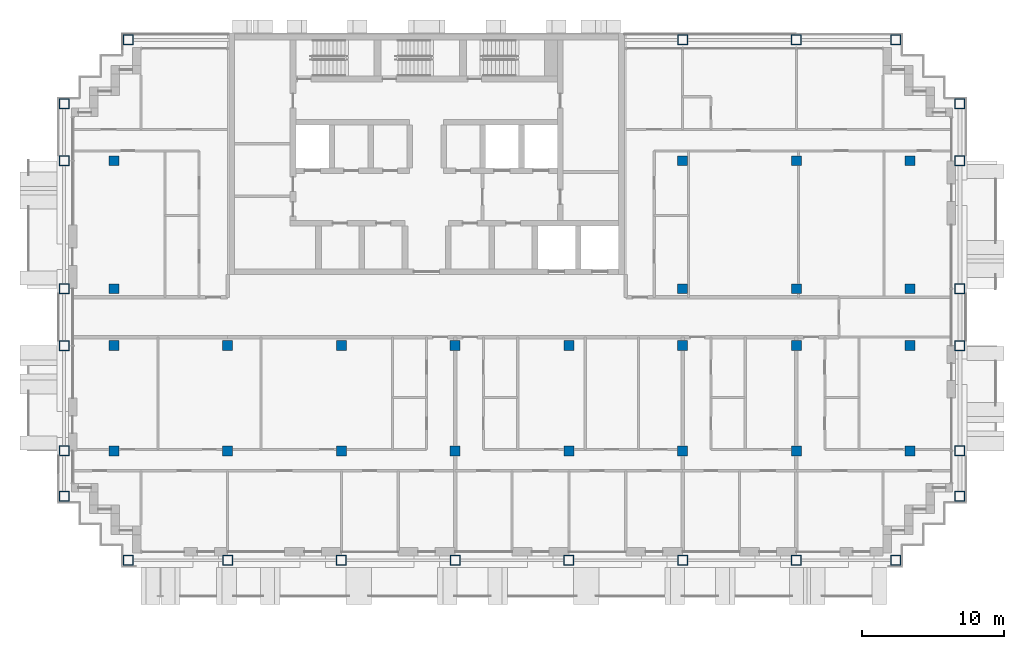
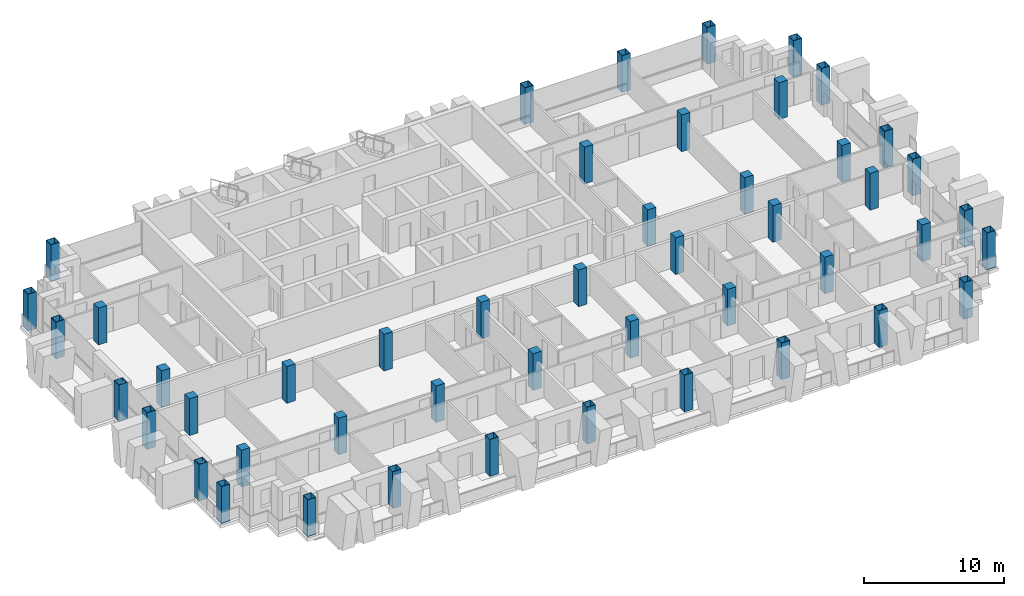
# One storey, part 1 of 16: 48 columns.
"""IFC4 building model written with IfcOpenShell, lengths in metres."""

import ifcopenshell
import ifcopenshell.guid

model = None  # the IFC model being written
_history = None  # IfcOwnerHistory: only IFC2X3 demands one
_inside = {}  # id of a spatial element -> (the spatial element, [elements in it])
_under = {}  # id of a project, library or spatial element -> (it, [spatial elements below it])
_declared = {}  # id of a project -> (the project, [libraries it declares])
_typed = {}  # id of a type object -> (the type object, [elements of that type])
_made_of = {}  # id of a material, layer set ... -> (it, [elements and type objects made of it])


def new_model(schema):
    """Start an empty IFC model of exactly this schema.

    Asked for "IFC4X3", IfcOpenShell would pick the latest addendum, in which some entities
    have other attributes; the version numbers below select the first issue.
    IFC2X3 requires an IfcOwnerHistory on every rooted entity: one is made here for all.
    """
    global model, _history
    if schema == "IFC4X3":
        model = ifcopenshell.file(schema_version=(4, 3, 0, 0))
    else:
        model = ifcopenshell.file(schema=schema)
    _inside.clear()
    _under.clear()
    _declared.clear()
    _typed.clear()
    _made_of.clear()
    _history = None
    if model.schema == "IFC2X3":
        org = make("IfcOrganization", Name="unknown")
        user = make(
            "IfcPersonAndOrganization",
            ThePerson=make("IfcPerson", FamilyName="unknown"),
            TheOrganization=org,
        )
        app = make(
            "IfcApplication",
            ApplicationDeveloper=org,
            Version="unknown",
            ApplicationFullName="unknown",
            ApplicationIdentifier="unknown",
        )
        _history = make(
            "IfcOwnerHistory",
            OwningUser=user,
            OwningApplication=app,
            ChangeAction="ADDED",
            CreationDate=0,
        )
    return model


def make(cls, **values):
    """One entity of the class cls with the attributes given. An attribute that is None is left unset."""
    return model.create_entity(
        cls, **{name: value for name, value in values.items() if value is not None}
    )


def rooted(cls, **values):
    """An entity with a GlobalId (a new one), such as an element, a storey or a relation."""
    return make(cls, GlobalId=ifcopenshell.guid.new(), OwnerHistory=_history, **values)


def si_unit(unit_type, name, prefix=None):
    """IfcSIUnit, for example si_unit("LENGTHUNIT", "METRE", prefix="MILLI")."""
    return make("IfcSIUnit", UnitType=unit_type, Prefix=prefix, Name=name)


def assignment(units):
    """IfcUnitAssignment: the units of a project."""
    return None if units is None else make("IfcUnitAssignment", Units=units)


def point(xyz):
    """IfcCartesianPoint."""
    return None if xyz is None else make("IfcCartesianPoint", Coordinates=xyz)


def direction(xyz):
    """IfcDirection."""
    return None if xyz is None else make("IfcDirection", DirectionRatios=xyz)


def frame(location, z_axis=None, x_axis=None):
    """IfcAxis2Placement3D, a coordinate frame: its origin and axes. An axis left out is left unset."""
    return make(
        "IfcAxis2Placement3D",
        Location=point(location),
        Axis=direction(z_axis),
        RefDirection=direction(x_axis),
    )


def frame_2d(location, x_axis=None):
    """IfcAxis2Placement2D, a coordinate frame in the plane: its origin and x axis."""
    return make(
        "IfcAxis2Placement2D", Location=point(location), RefDirection=direction(x_axis)
    )


def origin():
    """The frame at (0, 0, 0) with its axes left unset."""
    return frame((0.0, 0.0, 0.0))


def origin_2d():
    """The frame at (0, 0) in the plane with its x axis left unset."""
    return frame_2d((0.0, 0.0))


def place(relative_to, where):
    """IfcLocalPlacement: puts the frame where relative to a parent placement (None: the world)."""
    return make(
        "IfcLocalPlacement", PlacementRelTo=relative_to, RelativePlacement=where
    )


def context(
    kind, dimensions, precision=None, world=None, true_north=None, identifier=None
):
    """IfcGeometricRepresentationContext, for example the 3D "Model" context."""
    return make(
        "IfcGeometricRepresentationContext",
        ContextIdentifier=identifier,
        ContextType=kind,
        CoordinateSpaceDimension=dimensions,
        Precision=precision,
        WorldCoordinateSystem=world,
        TrueNorth=true_north,
    )


def subcontext(parent, identifier, kind, view, scale=None):
    """IfcGeometricRepresentationSubContext, for example "Body" below "Model"."""
    return make(
        "IfcGeometricRepresentationSubContext",
        ContextIdentifier=identifier,
        ContextType=kind,
        ParentContext=parent,
        TargetScale=scale,
        TargetView=view,
    )


def project(units=None, contexts=None):
    """IfcProject with its units and contexts."""
    return rooted(
        "IfcProject",
        Name="project",
        RepresentationContexts=contexts,
        UnitsInContext=assignment(units),
    )


def spatial(cls, under=None, at=None, **own):
    """A site, building, storey or space (cls), placed at a placement, below another one or the project."""
    s = rooted(cls, ObjectPlacement=at, **own)
    if under is not None:
        _under.setdefault(under.id(), (under, []))[1].append(s)
    return s


def profile(cls, at=None, kind="AREA", **sizes):
    """A parametric profile (cls). Its sizes go by their IFC names, for example OverallWidth=200.0."""
    return make(cls, ProfileType=kind, Position=at, **sizes)


def rectangle(**sizes):
    """IfcRectangleProfileDef."""
    return profile("IfcRectangleProfileDef", **sizes)


def hollow_rectangle(**sizes):
    """IfcRectangleHollowProfileDef."""
    return profile("IfcRectangleHollowProfileDef", **sizes)


def extrude(swept, where, along, depth):
    """IfcExtrudedAreaSolid: the profile swept, set in the frame where, extruded along a direction by depth."""
    return make(
        "IfcExtrudedAreaSolid",
        SweptArea=swept,
        Position=where,
        ExtrudedDirection=direction(along),
        Depth=depth,
    )


def shape(context_of_items, identifier, shape_type, items):
    """IfcShapeRepresentation: the items that make up one representation, for example the "Body"."""
    return make(
        "IfcShapeRepresentation",
        ContextOfItems=context_of_items,
        RepresentationIdentifier=identifier,
        RepresentationType=shape_type,
        Items=items,
    )


def material(Name=None, Category=None):
    """IfcMaterial."""
    return make("IfcMaterial", Name=Name, Category=Category)


def material_profile(
    of_material, cross_section, Name=None, Category=None, Priority=None
):
    """IfcMaterialProfile: a cross section and its material."""
    return make(
        "IfcMaterialProfile",
        Name=Name,
        Material=of_material,
        Profile=cross_section,
        Priority=Priority,
        Category=Category,
    )


def profile_set(profiles, Name=None, composite=None):
    """IfcMaterialProfileSet."""
    return make(
        "IfcMaterialProfileSet",
        Name=Name,
        MaterialProfiles=profiles,
        CompositeProfile=composite,
    )


def made_of(thing, what):
    """Note that an element or type object is made of a material, layer set ...; save() writes the relation."""
    if what is not None:
        _made_of.setdefault(what.id(), (what, []))[1].append(thing)
    return thing


def type_object(cls, material=None, **own):
    """A type object (cls), such as IfcWallType, which elements share."""
    return made_of(rooted(cls, **own), material)


def element(
    cls,
    number,
    at=None,
    inside=None,
    cuts=None,
    type_object=None,
    material=None,
    context=None,
    identifier="Body",
    shape_type=None,
    held_by="IfcProductDefinitionShape",
    body=None,
    shapes=None,
    **own,
):
    """One element of the class cls, such as IfcWall. Its Tag is "e" and its number.

    at: its placement. inside: the storey or other place that contains it. cuts: it is an
    opening in that element (IfcRelVoidsElement). A single representation is given by context,
    identifier, shape_type and body (its items); several are given by shapes. held_by: the class
    of the entity that holds the representations. save() writes the other relations.
    """
    e = rooted(cls, Tag="e%d" % number, ObjectPlacement=at, **own)
    if body is not None:
        shapes = [shape(context, identifier, shape_type, body)]
    if shapes is not None:
        e.Representation = make(held_by, Representations=shapes)
    if inside is not None:
        _inside.setdefault(inside.id(), (inside, []))[1].append(e)
    if cuts is not None:
        rooted(
            "IfcRelVoidsElement", RelatingBuildingElement=cuts, RelatedOpeningElement=e
        )
    if type_object is not None:
        _typed.setdefault(type_object.id(), (type_object, []))[1].append(e)
    return made_of(e, material)


def aggregate(whole, parts):
    """IfcRelAggregates: a whole, such as a stair, and the parts it consists of."""
    return rooted("IfcRelAggregates", RelatingObject=whole, RelatedObjects=parts)


def save(model, path):
    """Write the relations noted so far, then the file.

    IfcRelAggregates (storeys below a building ...), IfcRelContainedInSpatialStructure (elements
    in a storey), IfcRelDefinesByType, IfcRelAssociatesMaterial and IfcRelDeclares: one each for
    every whole, place, type object, material and project.
    """
    for whole, parts in _under.values():
        aggregate(whole, parts)
    for where, things in _inside.values():
        rooted(
            "IfcRelContainedInSpatialStructure",
            RelatedElements=things,
            RelatingStructure=where,
        )
    for kind, things in _typed.values():
        rooted("IfcRelDefinesByType", RelatedObjects=things, RelatingType=kind)
    for what, things in _made_of.values():
        rooted("IfcRelAssociatesMaterial", RelatedObjects=things, RelatingMaterial=what)
    for by, libraries in _declared.values():
        rooted("IfcRelDeclares", RelatingContext=by, RelatedDefinitions=libraries)
    model.write(path)


model = new_model("IFC4")

# Units and contexts
model_context = context("Model", 3, precision=1e-05, world=origin(), true_north=direction((0.0, 1.0)))
body_context = subcontext(model_context, "Body", "Model", "MODEL_VIEW")
ifc_project = project(units=[si_unit("LENGTHUNIT", "METRE"), si_unit("AREAUNIT", "SQUARE_METRE"), si_unit("VOLUMEUNIT", "CUBIC_METRE"), si_unit("PLANEANGLEUNIT", "RADIAN"), si_unit("MASSUNIT", "GRAM", prefix="KILO")], contexts=[model_context])

# Site, building, storey
site_placement = place(None, origin())
site = spatial("IfcSite", under=ifc_project, at=site_placement, CompositionType="ELEMENT")
building_placement = place(site_placement, origin())
building = spatial("IfcBuilding", under=site, at=building_placement, Name="Vidyagriha Tower", CompositionType="ELEMENT")
storey_placement = place(building_placement, frame((0.0, 0.0, 181.300048828125)))
storey = spatial("IfcBuildingStorey", under=building, at=storey_placement, Name="L47", CompositionType="ELEMENT", Elevation=181.300048828125)

# Columns
ifc_material_1 = material(Name="Steel ASTM A572 Grade 50", Category="steel")
ifc_material_profile_1 = material_profile(ifc_material_1, hollow_rectangle(XDim=0.699951171875, YDim=0.699951171875, WallThickness=0.035888671875, at=origin_2d()), Name="BOX 700x700x36")
ifc_profile_set_1 = profile_set([ifc_material_profile_1], Name="Steel ASTM A572 Grade 50")
column_type_1 = type_object("IfcColumnType", Name="Exoskeleton column BOX 700x700x36", PredefinedType="COLUMN", material=ifc_profile_set_1)
for number, where, name in (
    (1, (-21.0, -17.10009765625, 0.0), "st-col-L47-B4-001"),
    (2, (-14.0, -17.10009765625, 0.0), "st-col-L47-B4-002"),
    (3, (-6.0, -17.10009765625, 0.0), "st-col-L47-B4-003"),
    (4, (2.0, -17.10009765625, 0.0), "st-col-L47-B4-004"),
    (5, (10.0, -17.10009765625, 0.0), "st-col-L47-B4-005"),
    (6, (18.0, -17.10009765625, 0.0), "st-col-L47-B4-006"),
    (7, (26.0, -17.10009765625, 0.0), "st-col-L47-B4-007"),
    (8, (33.0, -17.10009765625, 0.0), "st-col-L47-B4-008"),
    (9, (-25.5, -12.60009765625, 0.0), "st-col-L47-B4-009"),
    (10, (37.5, -12.60009765625, 0.0), "st-col-L47-B4-010"),
    (11, (-25.5, -9.39990234375, 0.0), "st-col-L47-B4-011"),
    (12, (37.5, -9.39990234375, 0.0), "st-col-L47-B4-020"),
    (13, (-25.5, -2.0, 0.0), "st-col-L47-B4-021"),
    (14, (37.5, -2.0, 0.0), "st-col-L47-B4-030"),
    (15, (-25.5, 2.0, 0.0), "st-col-L47-B4-031"),
    (16, (37.5, 2.0, 0.0), "st-col-L47-B4-036"),
    (17, (-25.5, 11.0, 0.0), "st-col-L47-B4-037"),
    (18, (37.5, 11.0, 0.0), "st-col-L47-B4-042"),
    (19, (-25.5, 15.0, 0.0), "st-col-L47-B4-043"),
    (20, (37.5, 15.0, 0.0), "st-col-L47-B4-044"),
    (21, (-21.0, 19.5, 0.0), "st-col-L47-B4-045"),
    (22, (18.0, 19.5, 0.0), "st-col-L47-B4-046"),
    (23, (26.0, 19.5, 0.0), "st-col-L47-B4-047"),
    (24, (33.0, 19.5, 0.0), "st-col-L47-B4-048"),
):
    element("IfcColumn", number, at=place(storey_placement, frame(where)), inside=storey, type_object=column_type_1, Name=name, PredefinedType="COLUMN", context=body_context, shape_type="SweptSolid", body=[
        extrude(hollow_rectangle(XDim=0.699951171875, YDim=0.699951171875, WallThickness=0.035888671875, at=origin_2d()), origin(), (0.0, 0.0, 1.0), 3.199951171875),
    ])
ifc_material_2 = material(Name="Concrete C60/75", Category="concrete")
ifc_material_profile_2 = material_profile(ifc_material_2, rectangle(XDim=0.699951171875, YDim=0.699951171875, at=origin_2d()), Name="RC 700x700")
ifc_profile_set_2 = profile_set([ifc_material_profile_2], Name="Concrete C60/75")
column_type_2 = type_object("IfcColumnType", Name="Frame column RC 700x700", PredefinedType="COLUMN", material=ifc_profile_set_2)
for number, where, name in (
    (25, (-22.0, -9.39990234375, 0.0), "st-col-L47-B4-012"),
    (26, (-14.0, -9.39990234375, 0.0), "st-col-L47-B4-013"),
    (27, (-6.0, -9.39990234375, 0.0), "st-col-L47-B4-014"),
    (28, (2.0, -9.39990234375, 0.0), "st-col-L47-B4-015"),
    (29, (10.0, -9.39990234375, 0.0), "st-col-L47-B4-016"),
    (30, (18.0, -9.39990234375, 0.0), "st-col-L47-B4-017"),
    (31, (26.0, -9.39990234375, 0.0), "st-col-L47-B4-018"),
    (32, (34.0, -9.39990234375, 0.0), "st-col-L47-B4-019"),
    (33, (-22.0, -2.0, 0.0), "st-col-L47-B4-022"),
    (34, (-14.0, -2.0, 0.0), "st-col-L47-B4-023"),
    (35, (-6.0, -2.0, 0.0), "st-col-L47-B4-024"),
    (36, (2.0, -2.0, 0.0), "st-col-L47-B4-025"),
    (37, (10.0, -2.0, 0.0), "st-col-L47-B4-026"),
    (38, (18.0, -2.0, 0.0), "st-col-L47-B4-027"),
    (39, (26.0, -2.0, 0.0), "st-col-L47-B4-028"),
    (40, (34.0, -2.0, 0.0), "st-col-L47-B4-029"),
    (41, (-22.0, 2.0, 0.0), "st-col-L47-B4-032"),
    (42, (18.0, 2.0, 0.0), "st-col-L47-B4-033"),
    (43, (26.0, 2.0, 0.0), "st-col-L47-B4-034"),
    (44, (34.0, 2.0, 0.0), "st-col-L47-B4-035"),
    (45, (-22.0, 11.0, 0.0), "st-col-L47-B4-038"),
    (46, (18.0, 11.0, 0.0), "st-col-L47-B4-039"),
    (47, (26.0, 11.0, 0.0), "st-col-L47-B4-040"),
    (48, (34.0, 11.0, 0.0), "st-col-L47-B4-041"),
):
    element("IfcColumn", number, at=place(storey_placement, frame(where)), inside=storey, type_object=column_type_2, Name=name, PredefinedType="COLUMN", context=body_context, shape_type="SweptSolid", body=[
        extrude(rectangle(XDim=0.699951171875, YDim=0.699951171875, at=origin_2d()), origin(), (0.0, 0.0, 1.0), 3.199951171875),
    ])

save(model, "model.ifc")
